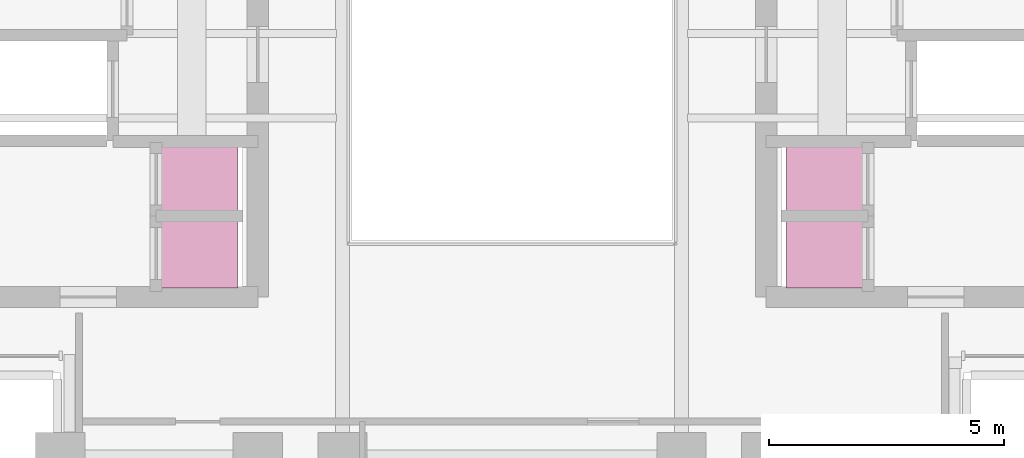
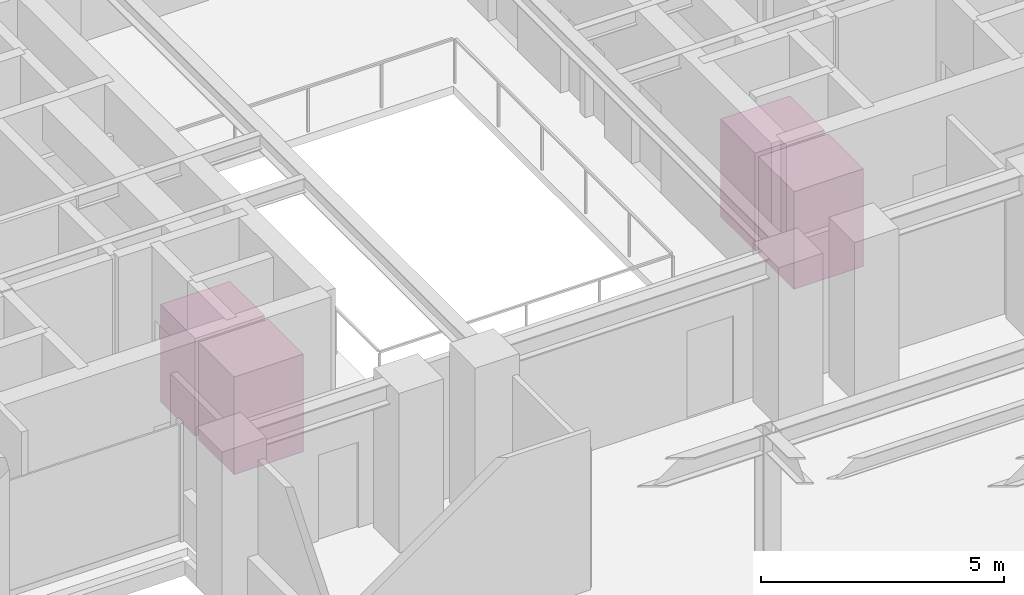
# One storey, part 15 of 16: 4 transport elements.
"""IFC4 building model written with IfcOpenShell, lengths in metres."""

from ifc_helpers import new_model, si_unit, direction, frame, origin, origin_2d, place, context, subcontext, project, spatial, rectangle, extrude, source, transform, mapped, material, type_object, element, save


model = new_model("IFC4")

# Units and contexts
model_context = context("Model", 3, precision=1e-05, world=origin(), true_north=direction((0.0, 1.0)))
body_context = subcontext(model_context, "Body", "Model", "MODEL_VIEW")
ifc_project = project(units=[si_unit("LENGTHUNIT", "METRE"), si_unit("AREAUNIT", "SQUARE_METRE"), si_unit("VOLUMEUNIT", "CUBIC_METRE"), si_unit("PLANEANGLEUNIT", "RADIAN"), si_unit("MASSUNIT", "GRAM", prefix="KILO")], contexts=[model_context])

# Site, building, storey
site_placement = place(None, origin())
site = spatial("IfcSite", under=ifc_project, at=site_placement, CompositionType="ELEMENT")
building_placement = place(site_placement, origin())
building = spatial("IfcBuilding", under=site, at=building_placement, Name="Keilestroom Media Tower", CompositionType="ELEMENT")
storey_placement = place(building_placement, frame((0.0, 0.0, 93.0)))
storey = spatial("IfcBuildingStorey", under=building, at=storey_placement, Name="L24", CompositionType="ELEMENT", Elevation=93.0)

# Transport elements
ifc_material = material(Name="Stainless Steel Lift Cabin", Category="steel")
transport_element_type = type_object("IfcTransportElementType", Name="Passenger-Lift-Car-PAX-2000", PredefinedType="ELEVATOR", material=ifc_material)
shared_shape_1 = source(origin(), body_context, "Body", "SweptSolid", [
    extrude(rectangle(XDim=1.64990234375, YDim=1.449951171875, at=origin_2d()), origin(), (0.0, 0.0, 1.0), 2.449951171875),
])
for number, where, z_axis, x_axis, name in (
    (1, (-6.639892578125, -4.679931640625, 0.0), (0.0, 0.0, 1.0), (1.0, 0.0, 0.0), "Passenger Lift PL-M1"),
    (2, (6.639892578125, -4.679931640625, 0.0), (0.0, 0.0, 1.0), (1.0, 0.0, 0.0), "Passenger Lift PL-M3"),
):
    element("IfcTransportElement", number, at=place(storey_placement, frame(where, z_axis=z_axis, x_axis=x_axis)), inside=storey, type_object=transport_element_type, Name=name, PredefinedType="ELEVATOR", context=body_context, shape_type="MappedRepresentation", body=[
        mapped(shared_shape_1, transform((0.0, 0.0, 0.0), x_axis=(1.0, 0.0, 0.0), y_axis=(0.0, 1.0, 0.0), z_axis=(0.0, 0.0, 1.0), scale=1.0)),
    ])
shared_shape_2 = source(origin(), body_context, "Body", "SweptSolid", [
    extrude(rectangle(XDim=1.64990234375, YDim=1.419921875, at=origin_2d()), origin(), (0.0, 0.0, 1.0), 2.449951171875),
])
for number, where, z_axis, x_axis, name in (
    (3, (-6.639892578125, -3.10009765625, 0.0), (0.0, 0.0, 1.0), (1.0, 0.0, 0.0), "Passenger Lift PL-M2"),
    (4, (6.639892578125, -3.10009765625, 0.0), (0.0, 0.0, 1.0), (1.0, 0.0, 0.0), "Passenger Lift PL-M4"),
):
    element("IfcTransportElement", number, at=place(storey_placement, frame(where, z_axis=z_axis, x_axis=x_axis)), inside=storey, type_object=transport_element_type, Name=name, PredefinedType="ELEVATOR", context=body_context, shape_type="MappedRepresentation", body=[
        mapped(shared_shape_2, transform((0.0, 0.0, 0.0), x_axis=(1.0, 0.0, 0.0), y_axis=(0.0, 1.0, 0.0), z_axis=(0.0, 0.0, 1.0), scale=1.0)),
    ])

save(model, "model.ifc")
